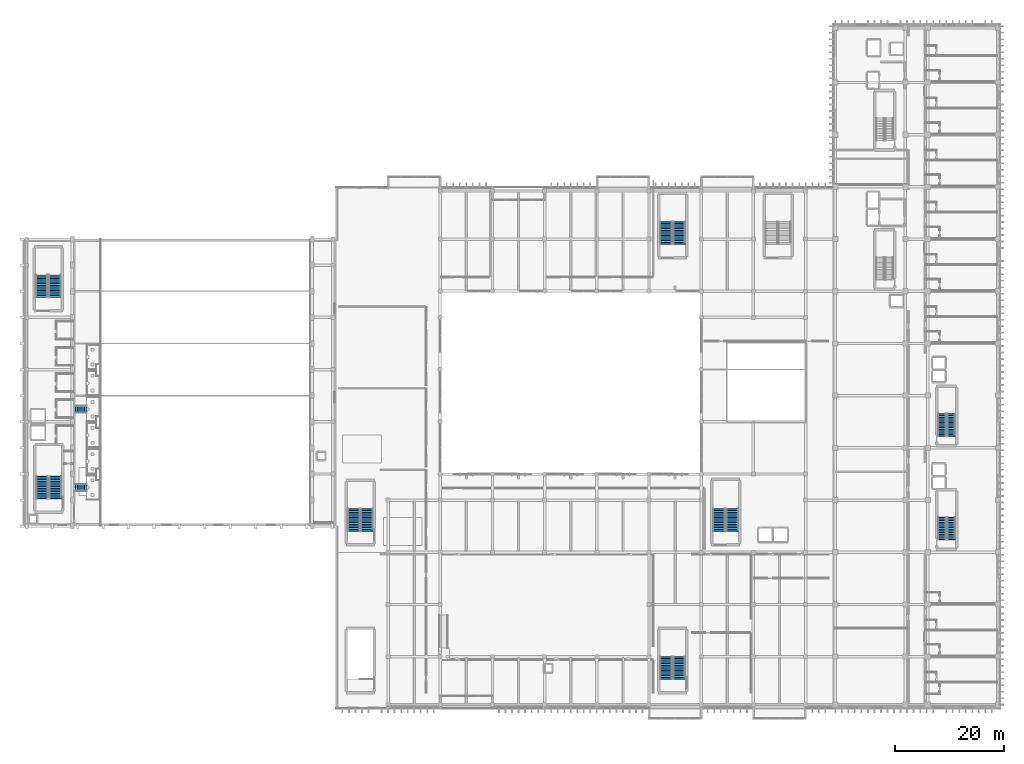
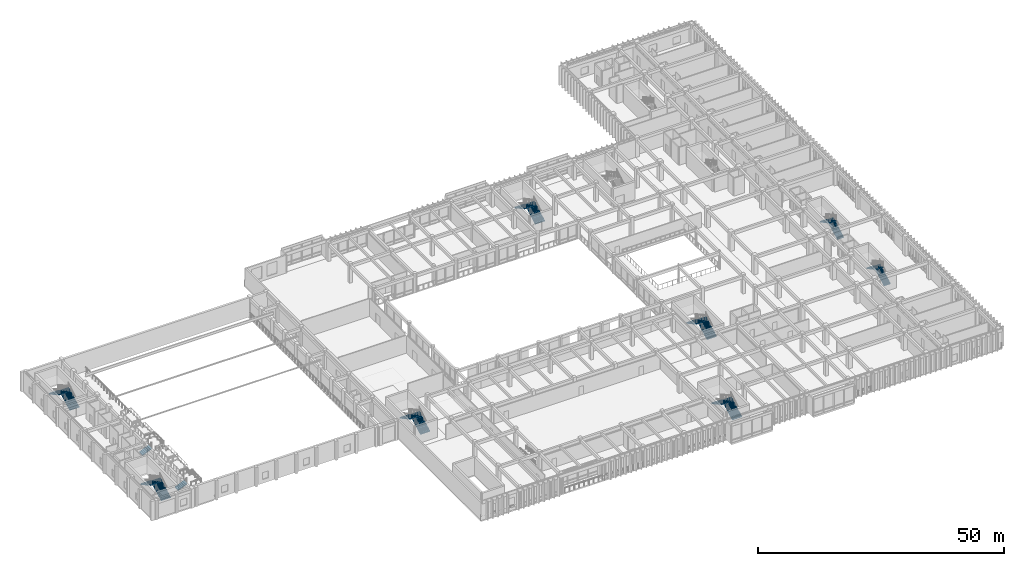
# One storey, part 109 of 133: 18 stair flights, 10 elements without a shape of their own.
"""IFC4 building model written with IfcOpenShell, lengths in metres."""

from ifc_helpers import new_model, si_unit, direction, frame, origin, place, context, subcontext, project, spatial, polyline, outline, extrude, material, layer, layer_set, type_object, element, aggregate, save


model = new_model("IFC4")

# Units and contexts
model_context = context("Model", 3, precision=1e-05, world=origin(), true_north=direction((0.0, 1.0)))
body_context = subcontext(model_context, "Body", "Model", "MODEL_VIEW")
ifc_project = project(units=[si_unit("LENGTHUNIT", "METRE"), si_unit("AREAUNIT", "SQUARE_METRE"), si_unit("VOLUMEUNIT", "CUBIC_METRE"), si_unit("PLANEANGLEUNIT", "RADIAN"), si_unit("MASSUNIT", "GRAM", prefix="KILO")], contexts=[model_context])

# Site, building, storey
site_placement = place(None, origin())
site = spatial("IfcSite", under=ifc_project, at=site_placement, CompositionType="ELEMENT")
building_placement = place(site_placement, origin())
building = spatial("IfcBuilding", under=site, at=building_placement, Name="Nakhvara Creek Congress Hotel", CompositionType="ELEMENT")
storey_placement = place(building_placement, frame((0.0, 0.0, 11.39990234375)))
storey = spatial("IfcBuildingStorey", under=building, at=storey_placement, Name="L02", CompositionType="ELEMENT", Elevation=11.39990234375)

# Stair, stair flights
ifc_material = material(Name="Concrete C40/50", Category="concrete")
stair_type_1 = type_object("IfcStairType", Name="ST-CORE-160", PredefinedType="HALF_TURN_STAIR", material=ifc_material)
stair_1_placement = place(storey_placement, origin())
stair_1 = element("IfcStair", 1, at=stair_1_placement, inside=storey, type_object=stair_type_1, Name="L02 Protected Exit Stair ST03", PredefinedType="HALF_TURN_STAIR")
ifc_layer_1 = layer(ifc_material, 0.18994140625)
ifc_layer_set_1 = layer_set([ifc_layer_1], Name="Concrete C40/50")
stair_flight_type_1 = type_object("IfcStairFlightType", Name="SFL-RC-160", PredefinedType="STRAIGHT", material=ifc_layer_set_1)
stair_flight_1_placement = place(storey_placement, frame((170.780029296875, 31.139892578125, 0.0), z_axis=(0.0, 0.0, 1.0), x_axis=(0.0, 1.0, 0.0)))
stair_flight_1 = element("IfcStairFlight", 2, at=stair_flight_1_placement, type_object=stair_flight_type_1, Name="ST03 flight 1", NumberOfRisers=14, NumberOfTreads=13, PredefinedType="STRAIGHT", RiserHeight=0.171428571, TreadLength=0.315, context=body_context, shape_type="SweptSolid", body=[
    extrude(outline(polyline([(-0.048095703125, 0.0), (0.0, 0.0), (0.0, 0.17138671875), (0.31494140625, 0.17138671875), (0.31494140625, 0.3427734375), (0.6298828125, 0.3427734375), (0.6298828125, 0.514404296875), (0.945068359375, 0.514404296875), (0.945068359375, 0.685791015625), (1.260009765625, 0.685791015625), (1.260009765625, 0.857177734375), (1.574951171875, 0.857177734375), (1.574951171875, 1.028564453125), (1.889892578125, 1.028564453125), (1.889892578125, 1.199951171875), (2.205078125, 1.199951171875), (2.205078125, 1.371337890625), (2.52001953125, 1.371337890625), (2.52001953125, 1.54296875), (2.8349609375, 1.54296875), (2.8349609375, 1.71435546875), (3.14990234375, 1.71435546875), (3.14990234375, 1.8857421875), (3.465087890625, 1.8857421875), (3.465087890625, 2.05712890625), (3.780029296875, 2.05712890625), (3.780029296875, 2.228515625), (4.094970703125, 2.228515625), (4.094970703125, 2.39990234375), (4.14306640625, 2.39990234375), (4.14306640625, 2.25), (4.094970703125, 2.057861328125), (0.0380859375, -0.14990234375), (-0.048095703125, -0.14990234375), (-0.048095703125, 0.0)])), frame((0.0, 0.77001953125, 0.0), z_axis=(0.0, -1.0, 0.0), x_axis=(1.0, 0.0, 0.0)), (0.0, 0.0, 1.0), 1.5400390625),
])
stair_flight_2_placement = place(storey_placement, frame((169.090087890625, 35.235107421875, 2.400146484375), z_axis=(0.0, 0.0, 1.0), x_axis=(0.0, -1.0, 0.0)))
stair_flight_2 = element("IfcStairFlight", 3, at=stair_flight_2_placement, type_object=stair_flight_type_1, Name="ST03 flight 2", NumberOfRisers=14, NumberOfTreads=13, PredefinedType="STRAIGHT", RiserHeight=0.171428571, TreadLength=0.315, context=body_context, shape_type="SweptSolid", body=[
    extrude(outline(polyline([(-0.048095703125, 0.0), (0.0, 0.0), (0.0, 0.17138671875), (0.31494140625, 0.17138671875), (0.31494140625, 0.3427734375), (0.6298828125, 0.3427734375), (0.6298828125, 0.514404296875), (0.945068359375, 0.514404296875), (0.945068359375, 0.685791015625), (1.260009765625, 0.685791015625), (1.260009765625, 0.857177734375), (1.574951171875, 0.857177734375), (1.574951171875, 1.028564453125), (1.889892578125, 1.028564453125), (1.889892578125, 1.199951171875), (2.205078125, 1.199951171875), (2.205078125, 1.371337890625), (2.52001953125, 1.371337890625), (2.52001953125, 1.54296875), (2.8349609375, 1.54296875), (2.8349609375, 1.71435546875), (3.14990234375, 1.71435546875), (3.14990234375, 1.8857421875), (3.465087890625, 1.8857421875), (3.465087890625, 2.05712890625), (3.780029296875, 2.05712890625), (3.780029296875, 2.228515625), (4.094970703125, 2.228515625), (4.094970703125, 2.39990234375), (4.14306640625, 2.39990234375), (4.14306640625, 2.25), (4.094970703125, 2.057861328125), (0.0380859375, -0.14990234375), (-0.048095703125, -0.14990234375), (-0.048095703125, 0.0)])), frame((0.0, 0.77001953125, 0.0), z_axis=(0.0, -1.0, 0.0), x_axis=(1.0, 0.0, 0.0)), (0.0, 0.0, 1.0), 1.5400390625),
])
aggregate(stair_1, [stair_flight_1, stair_flight_2])

stair_2_placement = place(storey_placement, origin())
stair_2 = element("IfcStair", 4, at=stair_2_placement, inside=storey, type_object=stair_type_1, Name="L02 Protected Exit Stair ST04", PredefinedType="HALF_TURN_STAIR")
stair_flight_3_placement = place(storey_placement, frame((170.780029296875, 50.139892578125, 0.0), z_axis=(0.0, 0.0, 1.0), x_axis=(0.0, 1.0, 0.0)))
stair_flight_3 = element("IfcStairFlight", 5, at=stair_flight_3_placement, type_object=stair_flight_type_1, Name="ST04 flight 1", NumberOfRisers=14, NumberOfTreads=13, PredefinedType="STRAIGHT", RiserHeight=0.171428571, TreadLength=0.315, context=body_context, shape_type="SweptSolid", body=[
    extrude(outline(polyline([(-0.048095703125, 0.0), (0.0, 0.0), (0.0, 0.17138671875), (0.31494140625, 0.17138671875), (0.31494140625, 0.3427734375), (0.6298828125, 0.3427734375), (0.6298828125, 0.514404296875), (0.945068359375, 0.514404296875), (0.945068359375, 0.685791015625), (1.260009765625, 0.685791015625), (1.260009765625, 0.857177734375), (1.574951171875, 0.857177734375), (1.574951171875, 1.028564453125), (1.889892578125, 1.028564453125), (1.889892578125, 1.199951171875), (2.205078125, 1.199951171875), (2.205078125, 1.371337890625), (2.52001953125, 1.371337890625), (2.52001953125, 1.54296875), (2.8349609375, 1.54296875), (2.8349609375, 1.71435546875), (3.14990234375, 1.71435546875), (3.14990234375, 1.8857421875), (3.465087890625, 1.8857421875), (3.465087890625, 2.05712890625), (3.780029296875, 2.05712890625), (3.780029296875, 2.228515625), (4.094970703125, 2.228515625), (4.094970703125, 2.39990234375), (4.14306640625, 2.39990234375), (4.14306640625, 2.25), (4.094970703125, 2.057861328125), (0.0380859375, -0.14990234375), (-0.048095703125, -0.14990234375), (-0.048095703125, 0.0)])), frame((0.0, 0.77001953125, 0.0), z_axis=(0.0, -1.0, 0.0), x_axis=(1.0, 0.0, 0.0)), (0.0, 0.0, 1.0), 1.5400390625),
])
stair_flight_4_placement = place(storey_placement, frame((169.090087890625, 54.235107421875, 2.400146484375), z_axis=(0.0, 0.0, 1.0), x_axis=(0.0, -1.0, 0.0)))
stair_flight_4 = element("IfcStairFlight", 6, at=stair_flight_4_placement, type_object=stair_flight_type_1, Name="ST04 flight 2", NumberOfRisers=14, NumberOfTreads=13, PredefinedType="STRAIGHT", RiserHeight=0.171428571, TreadLength=0.315, context=body_context, shape_type="SweptSolid", body=[
    extrude(outline(polyline([(-0.048095703125, 0.0), (0.0, 0.0), (0.0, 0.17138671875), (0.31494140625, 0.17138671875), (0.31494140625, 0.3427734375), (0.6298828125, 0.3427734375), (0.6298828125, 0.514404296875), (0.945068359375, 0.514404296875), (0.945068359375, 0.685791015625), (1.260009765625, 0.685791015625), (1.260009765625, 0.857177734375), (1.574951171875, 0.857177734375), (1.574951171875, 1.028564453125), (1.889892578125, 1.028564453125), (1.889892578125, 1.199951171875), (2.205078125, 1.199951171875), (2.205078125, 1.371337890625), (2.52001953125, 1.371337890625), (2.52001953125, 1.54296875), (2.8349609375, 1.54296875), (2.8349609375, 1.71435546875), (3.14990234375, 1.71435546875), (3.14990234375, 1.8857421875), (3.465087890625, 1.8857421875), (3.465087890625, 2.05712890625), (3.780029296875, 2.05712890625), (3.780029296875, 2.228515625), (4.094970703125, 2.228515625), (4.094970703125, 2.39990234375), (4.14306640625, 2.39990234375), (4.14306640625, 2.25), (4.094970703125, 2.057861328125), (0.0380859375, -0.14990234375), (-0.048095703125, -0.14990234375), (-0.048095703125, 0.0)])), frame((0.0, 0.77001953125, 0.0), z_axis=(0.0, -1.0, 0.0), x_axis=(1.0, 0.0, 0.0)), (0.0, 0.0, 1.0), 1.5400390625),
])
aggregate(stair_2, [stair_flight_3, stair_flight_4])

# Stair, stair flight
stair_type_2 = type_object("IfcStairType", Name="ST-VOM-165", PredefinedType="STRAIGHT_RUN_STAIR", material=ifc_material)
stair_3_placement = place(storey_placement, origin())
stair_3 = element("IfcStair", 7, at=stair_3_placement, inside=storey, type_object=stair_type_2, Name="Congress Vomitory Stair SV05", PredefinedType="STRAIGHT_RUN_STAIR")
ifc_layer_2 = layer(ifc_material, 0.179931640625)
ifc_layer_set_2 = layer_set([ifc_layer_2], Name="Concrete C40/50")
stair_flight_type_2 = type_object("IfcStairFlightType", Name="SFL-RC-165", PredefinedType="STRAIGHT", material=ifc_layer_set_2)
stair_flight_5_placement = place(storey_placement, frame((9.7099609375, 40.699951171875, 0.0), z_axis=(0.0, 0.0, 1.0), x_axis=(1.0, 0.0, 0.0)))
stair_flight_5 = element("IfcStairFlight", 8, at=stair_flight_5_placement, type_object=stair_flight_type_2, Name="SV05 flight 1", NumberOfRisers=7, NumberOfTreads=6, PredefinedType="STRAIGHT", RiserHeight=0.15, TreadLength=0.34, context=body_context, shape_type="SweptSolid", body=[
    extrude(outline(polyline([(-0.048095703125, 0.0), (0.0, 0.0), (0.0, 0.14990234375), (0.340087890625, 0.14990234375), (0.340087890625, 0.300048828125), (0.679931640625, 0.300048828125), (0.679931640625, 0.449951171875), (1.02001953125, 0.449951171875), (1.02001953125, 0.60009765625), (1.360107421875, 0.60009765625), (1.360107421875, 0.75), (1.699951171875, 0.75), (1.699951171875, 0.89990234375), (2.0400390625, 0.89990234375), (2.0400390625, 1.050048828125), (2.088134765625, 1.050048828125), (2.088134765625, 0.900146484375), (2.0400390625, 0.736083984375), (0.031494140625, -0.14990234375), (-0.048095703125, -0.14990234375), (-0.048095703125, 0.0)])), frame((0.0, 0.675048828125, 0.0), z_axis=(0.0, -1.0, 0.0), x_axis=(1.0, 0.0, 0.0)), (0.0, 0.0, 1.0), 1.35009765625),
])
aggregate(stair_3, [stair_flight_5])

stair_4_placement = place(storey_placement, origin())
stair_4 = element("IfcStair", 9, at=stair_4_placement, inside=storey, type_object=stair_type_2, Name="Congress Vomitory Stair SV06", PredefinedType="STRAIGHT_RUN_STAIR")
stair_flight_6_placement = place(storey_placement, frame((9.7099609375, 55.10009765625, 0.0), z_axis=(0.0, 0.0, 1.0), x_axis=(1.0, 0.0, 0.0)))
stair_flight_6 = element("IfcStairFlight", 10, at=stair_flight_6_placement, type_object=stair_flight_type_2, Name="SV06 flight 1", NumberOfRisers=7, NumberOfTreads=6, PredefinedType="STRAIGHT", RiserHeight=0.15, TreadLength=0.34, context=body_context, shape_type="SweptSolid", body=[
    extrude(outline(polyline([(-0.048095703125, 0.0), (0.0, 0.0), (0.0, 0.14990234375), (0.340087890625, 0.14990234375), (0.340087890625, 0.300048828125), (0.679931640625, 0.300048828125), (0.679931640625, 0.449951171875), (1.02001953125, 0.449951171875), (1.02001953125, 0.60009765625), (1.360107421875, 0.60009765625), (1.360107421875, 0.75), (1.699951171875, 0.75), (1.699951171875, 0.89990234375), (2.0400390625, 0.89990234375), (2.0400390625, 1.050048828125), (2.088134765625, 1.050048828125), (2.088134765625, 0.900146484375), (2.0400390625, 0.736083984375), (0.031494140625, -0.14990234375), (-0.048095703125, -0.14990234375), (-0.048095703125, 0.0)])), frame((0.0, 0.675048828125, 0.0), z_axis=(0.0, -1.0, 0.0), x_axis=(1.0, 0.0, 0.0)), (0.0, 0.0, 1.0), 1.35009765625),
])
aggregate(stair_4, [stair_flight_6])

# Stair, stair flights
stair_type_3 = type_object("IfcStairType", Name="ST-CORE-230", PredefinedType="HALF_TURN_STAIR", material=ifc_material)
stair_5_placement = place(storey_placement, origin())
stair_5 = element("IfcStair", 11, at=stair_5_placement, inside=storey, type_object=stair_type_3, Name="L02 Protected Exit Stair ST05", PredefinedType="HALF_TURN_STAIR")
ifc_layer_3 = layer(ifc_material, 0.219970703125)
ifc_layer_set_3 = layer_set([ifc_layer_3], Name="Concrete C40/50")
stair_flight_type_3 = type_object("IfcStairFlightType", Name="SFL-RC-230", PredefinedType="STRAIGHT", material=ifc_layer_set_3)
stair_flight_7_placement = place(storey_placement, frame((6.02001953125, 38.679931640625, 0.0), z_axis=(0.0, 0.0, 1.0), x_axis=(0.0, 1.0, 0.0)))
stair_flight_7 = element("IfcStairFlight", 12, at=stair_flight_7_placement, type_object=stair_flight_type_3, Name="ST05 flight 1", NumberOfRisers=14, NumberOfTreads=13, PredefinedType="STRAIGHT", RiserHeight=0.171428571, TreadLength=0.315, context=body_context, shape_type="SweptSolid", body=[
    extrude(outline(polyline([(-0.048095703125, 0.0), (0.0, 0.0), (0.0, 0.17138671875), (0.31494140625, 0.17138671875), (0.31494140625, 0.3427734375), (0.6298828125, 0.3427734375), (0.6298828125, 0.514404296875), (0.945068359375, 0.514404296875), (0.945068359375, 0.685791015625), (1.260009765625, 0.685791015625), (1.260009765625, 0.857177734375), (1.574951171875, 0.857177734375), (1.574951171875, 1.028564453125), (1.889892578125, 1.028564453125), (1.889892578125, 1.199951171875), (2.205078125, 1.199951171875), (2.205078125, 1.371337890625), (2.52001953125, 1.371337890625), (2.52001953125, 1.54296875), (2.8349609375, 1.54296875), (2.8349609375, 1.71435546875), (3.14990234375, 1.71435546875), (3.14990234375, 1.8857421875), (3.465087890625, 1.8857421875), (3.465087890625, 2.05712890625), (3.780029296875, 2.05712890625), (3.780029296875, 2.228515625), (4.094970703125, 2.228515625), (4.094970703125, 2.39990234375), (4.14306640625, 2.39990234375), (4.14306640625, 2.25), (4.094970703125, 2.057861328125), (0.0380859375, -0.14990234375), (-0.048095703125, -0.14990234375), (-0.048095703125, 0.0)])), frame((0.0, 1.14013671875, 0.0), z_axis=(0.0, -1.0, 0.0), x_axis=(1.0, 0.0, 0.0)), (0.0, 0.0, 1.0), 2.280029296875),
])
stair_flight_8_placement = place(storey_placement, frame((3.590087890625, 42.77490234375, 2.400146484375), z_axis=(0.0, 0.0, 1.0), x_axis=(0.0, -1.0, 0.0)))
stair_flight_8 = element("IfcStairFlight", 13, at=stair_flight_8_placement, type_object=stair_flight_type_3, Name="ST05 flight 2", NumberOfRisers=14, NumberOfTreads=13, PredefinedType="STRAIGHT", RiserHeight=0.171428571, TreadLength=0.315, context=body_context, shape_type="SweptSolid", body=[
    extrude(outline(polyline([(-0.048095703125, 0.0), (0.0, 0.0), (0.0, 0.17138671875), (0.31494140625, 0.17138671875), (0.31494140625, 0.3427734375), (0.6298828125, 0.3427734375), (0.6298828125, 0.514404296875), (0.945068359375, 0.514404296875), (0.945068359375, 0.685791015625), (1.260009765625, 0.685791015625), (1.260009765625, 0.857177734375), (1.574951171875, 0.857177734375), (1.574951171875, 1.028564453125), (1.889892578125, 1.028564453125), (1.889892578125, 1.199951171875), (2.205078125, 1.199951171875), (2.205078125, 1.371337890625), (2.52001953125, 1.371337890625), (2.52001953125, 1.54296875), (2.8349609375, 1.54296875), (2.8349609375, 1.71435546875), (3.14990234375, 1.71435546875), (3.14990234375, 1.8857421875), (3.465087890625, 1.8857421875), (3.465087890625, 2.05712890625), (3.780029296875, 2.05712890625), (3.780029296875, 2.228515625), (4.094970703125, 2.228515625), (4.094970703125, 2.39990234375), (4.14306640625, 2.39990234375), (4.14306640625, 2.25), (4.094970703125, 2.057861328125), (0.0380859375, -0.14990234375), (-0.048095703125, -0.14990234375), (-0.048095703125, 0.0)])), frame((0.0, 1.14013671875, 0.0), z_axis=(0.0, -1.0, 0.0), x_axis=(1.0, 0.0, 0.0)), (0.0, 0.0, 1.0), 2.280029296875),
])
aggregate(stair_5, [stair_flight_7, stair_flight_8])

stair_6_placement = place(storey_placement, origin())
stair_6 = element("IfcStair", 14, at=stair_6_placement, inside=storey, type_object=stair_type_3, Name="L02 Protected Exit Stair ST06", PredefinedType="HALF_TURN_STAIR")
stair_flight_9_placement = place(storey_placement, frame((130.52001953125, 32.679931640625, 0.0), z_axis=(0.0, 0.0, 1.0), x_axis=(0.0, 1.0, 0.0)))
stair_flight_9 = element("IfcStairFlight", 15, at=stair_flight_9_placement, type_object=stair_flight_type_3, Name="ST06 flight 1", NumberOfRisers=14, NumberOfTreads=13, PredefinedType="STRAIGHT", RiserHeight=0.171428571, TreadLength=0.315, context=body_context, shape_type="SweptSolid", body=[
    extrude(outline(polyline([(-0.048095703125, 0.0), (0.0, 0.0), (0.0, 0.17138671875), (0.31494140625, 0.17138671875), (0.31494140625, 0.3427734375), (0.6298828125, 0.3427734375), (0.6298828125, 0.514404296875), (0.945068359375, 0.514404296875), (0.945068359375, 0.685791015625), (1.260009765625, 0.685791015625), (1.260009765625, 0.857177734375), (1.574951171875, 0.857177734375), (1.574951171875, 1.028564453125), (1.889892578125, 1.028564453125), (1.889892578125, 1.199951171875), (2.205078125, 1.199951171875), (2.205078125, 1.371337890625), (2.52001953125, 1.371337890625), (2.52001953125, 1.54296875), (2.8349609375, 1.54296875), (2.8349609375, 1.71435546875), (3.14990234375, 1.71435546875), (3.14990234375, 1.8857421875), (3.465087890625, 1.8857421875), (3.465087890625, 2.05712890625), (3.780029296875, 2.05712890625), (3.780029296875, 2.228515625), (4.094970703125, 2.228515625), (4.094970703125, 2.39990234375), (4.14306640625, 2.39990234375), (4.14306640625, 2.25), (4.094970703125, 2.057861328125), (0.0380859375, -0.14990234375), (-0.048095703125, -0.14990234375), (-0.048095703125, 0.0)])), frame((0.0, 1.14013671875, 0.0), z_axis=(0.0, -1.0, 0.0), x_axis=(1.0, 0.0, 0.0)), (0.0, 0.0, 1.0), 2.280029296875),
])
stair_flight_10_placement = place(storey_placement, frame((128.090087890625, 36.77490234375, 2.400146484375), z_axis=(0.0, 0.0, 1.0), x_axis=(0.0, -1.0, 0.0)))
stair_flight_10 = element("IfcStairFlight", 16, at=stair_flight_10_placement, type_object=stair_flight_type_3, Name="ST06 flight 2", NumberOfRisers=14, NumberOfTreads=13, PredefinedType="STRAIGHT", RiserHeight=0.171428571, TreadLength=0.315, context=body_context, shape_type="SweptSolid", body=[
    extrude(outline(polyline([(-0.048095703125, 0.0), (0.0, 0.0), (0.0, 0.17138671875), (0.31494140625, 0.17138671875), (0.31494140625, 0.3427734375), (0.6298828125, 0.3427734375), (0.6298828125, 0.514404296875), (0.945068359375, 0.514404296875), (0.945068359375, 0.685791015625), (1.260009765625, 0.685791015625), (1.260009765625, 0.857177734375), (1.574951171875, 0.857177734375), (1.574951171875, 1.028564453125), (1.889892578125, 1.028564453125), (1.889892578125, 1.199951171875), (2.205078125, 1.199951171875), (2.205078125, 1.371337890625), (2.52001953125, 1.371337890625), (2.52001953125, 1.54296875), (2.8349609375, 1.54296875), (2.8349609375, 1.71435546875), (3.14990234375, 1.71435546875), (3.14990234375, 1.8857421875), (3.465087890625, 1.8857421875), (3.465087890625, 2.05712890625), (3.780029296875, 2.05712890625), (3.780029296875, 2.228515625), (4.094970703125, 2.228515625), (4.094970703125, 2.39990234375), (4.14306640625, 2.39990234375), (4.14306640625, 2.25), (4.094970703125, 2.057861328125), (0.0380859375, -0.14990234375), (-0.048095703125, -0.14990234375), (-0.048095703125, 0.0)])), frame((0.0, 1.14013671875, 0.0), z_axis=(0.0, -1.0, 0.0), x_axis=(1.0, 0.0, 0.0)), (0.0, 0.0, 1.0), 2.280029296875),
])
aggregate(stair_6, [stair_flight_9, stair_flight_10])

stair_7_placement = place(storey_placement, origin())
stair_7 = element("IfcStair", 17, at=stair_7_placement, inside=storey, type_object=stair_type_3, Name="L02 Protected Exit Stair ST07", PredefinedType="HALF_TURN_STAIR")
stair_flight_11_placement = place(storey_placement, frame((5.93994140625, 75.679931640625, 0.0), z_axis=(0.0, 0.0, 1.0), x_axis=(0.0, 1.0, 0.0)))
stair_flight_11 = element("IfcStairFlight", 18, at=stair_flight_11_placement, type_object=stair_flight_type_3, Name="ST07 flight 1", NumberOfRisers=14, NumberOfTreads=13, PredefinedType="STRAIGHT", RiserHeight=0.171428571, TreadLength=0.315, context=body_context, shape_type="SweptSolid", body=[
    extrude(outline(polyline([(-0.048095703125, 0.0), (0.0, 0.0), (0.0, 0.17138671875), (0.31494140625, 0.17138671875), (0.31494140625, 0.3427734375), (0.6298828125, 0.3427734375), (0.6298828125, 0.514404296875), (0.945068359375, 0.514404296875), (0.945068359375, 0.685791015625), (1.260009765625, 0.685791015625), (1.260009765625, 0.857177734375), (1.574951171875, 0.857177734375), (1.574951171875, 1.028564453125), (1.889892578125, 1.028564453125), (1.889892578125, 1.199951171875), (2.205078125, 1.199951171875), (2.205078125, 1.371337890625), (2.52001953125, 1.371337890625), (2.52001953125, 1.54296875), (2.8349609375, 1.54296875), (2.8349609375, 1.71435546875), (3.14990234375, 1.71435546875), (3.14990234375, 1.8857421875), (3.465087890625, 1.8857421875), (3.465087890625, 2.05712890625), (3.780029296875, 2.05712890625), (3.780029296875, 2.228515625), (4.094970703125, 2.228515625), (4.094970703125, 2.39990234375), (4.14306640625, 2.39990234375), (4.14306640625, 2.25), (4.094970703125, 2.057861328125), (0.0380859375, -0.14990234375), (-0.048095703125, -0.14990234375), (-0.048095703125, 0.0)])), frame((0.0, 1.14013671875, 0.0), z_axis=(0.0, -1.0, 0.0), x_axis=(1.0, 0.0, 0.0)), (0.0, 0.0, 1.0), 2.280029296875),
])
stair_flight_12_placement = place(storey_placement, frame((3.510009765625, 79.77490234375, 2.400146484375), z_axis=(0.0, 0.0, 1.0), x_axis=(0.0, -1.0, 0.0)))
stair_flight_12 = element("IfcStairFlight", 19, at=stair_flight_12_placement, type_object=stair_flight_type_3, Name="ST07 flight 2", NumberOfRisers=14, NumberOfTreads=13, PredefinedType="STRAIGHT", RiserHeight=0.171428571, TreadLength=0.315, context=body_context, shape_type="SweptSolid", body=[
    extrude(outline(polyline([(-0.048095703125, 0.0), (0.0, 0.0), (0.0, 0.17138671875), (0.31494140625, 0.17138671875), (0.31494140625, 0.3427734375), (0.6298828125, 0.3427734375), (0.6298828125, 0.514404296875), (0.945068359375, 0.514404296875), (0.945068359375, 0.685791015625), (1.260009765625, 0.685791015625), (1.260009765625, 0.857177734375), (1.574951171875, 0.857177734375), (1.574951171875, 1.028564453125), (1.889892578125, 1.028564453125), (1.889892578125, 1.199951171875), (2.205078125, 1.199951171875), (2.205078125, 1.371337890625), (2.52001953125, 1.371337890625), (2.52001953125, 1.54296875), (2.8349609375, 1.54296875), (2.8349609375, 1.71435546875), (3.14990234375, 1.71435546875), (3.14990234375, 1.8857421875), (3.465087890625, 1.8857421875), (3.465087890625, 2.05712890625), (3.780029296875, 2.05712890625), (3.780029296875, 2.228515625), (4.094970703125, 2.228515625), (4.094970703125, 2.39990234375), (4.14306640625, 2.39990234375), (4.14306640625, 2.25), (4.094970703125, 2.057861328125), (0.0380859375, -0.14990234375), (-0.048095703125, -0.14990234375), (-0.048095703125, 0.0)])), frame((0.0, 1.14013671875, 0.0), z_axis=(0.0, -1.0, 0.0), x_axis=(1.0, 0.0, 0.0)), (0.0, 0.0, 1.0), 2.280029296875),
])
aggregate(stair_7, [stair_flight_11, stair_flight_12])

stair_8_placement = place(storey_placement, origin())
stair_8 = element("IfcStair", 20, at=stair_8_placement, inside=storey, type_object=stair_type_3, Name="L02 Protected Exit Stair ST09", PredefinedType="HALF_TURN_STAIR")
stair_flight_13_placement = place(storey_placement, frame((120.739990234375, 85.47998046875, 0.0), z_axis=(0.0, 0.0, 1.0), x_axis=(0.0, 1.0, 0.0)))
stair_flight_13 = element("IfcStairFlight", 21, at=stair_flight_13_placement, type_object=stair_flight_type_3, Name="ST09 flight 1", NumberOfRisers=14, NumberOfTreads=13, PredefinedType="STRAIGHT", RiserHeight=0.171428571, TreadLength=0.315, context=body_context, shape_type="SweptSolid", body=[
    extrude(outline(polyline([(-0.048095703125, 0.0), (0.0, 0.0), (0.0, 0.17138671875), (0.31494140625, 0.17138671875), (0.31494140625, 0.3427734375), (0.6298828125, 0.3427734375), (0.6298828125, 0.514404296875), (0.945068359375, 0.514404296875), (0.945068359375, 0.685791015625), (1.260009765625, 0.685791015625), (1.260009765625, 0.857177734375), (1.574951171875, 0.857177734375), (1.574951171875, 1.028564453125), (1.889892578125, 1.028564453125), (1.889892578125, 1.199951171875), (2.205078125, 1.199951171875), (2.205078125, 1.371337890625), (2.52001953125, 1.371337890625), (2.52001953125, 1.54296875), (2.8349609375, 1.54296875), (2.8349609375, 1.71435546875), (3.14990234375, 1.71435546875), (3.14990234375, 1.8857421875), (3.465087890625, 1.8857421875), (3.465087890625, 2.05712890625), (3.780029296875, 2.05712890625), (3.780029296875, 2.228515625), (4.094970703125, 2.228515625), (4.094970703125, 2.39990234375), (4.14306640625, 2.39990234375), (4.14306640625, 2.25), (4.094970703125, 2.057861328125), (0.0380859375, -0.14990234375), (-0.048095703125, -0.14990234375), (-0.048095703125, 0.0)])), frame((0.0, 1.14013671875, 0.0), z_axis=(0.0, -1.0, 0.0), x_axis=(1.0, 0.0, 0.0)), (0.0, 0.0, 1.0), 2.280029296875),
])
stair_flight_14_placement = place(storey_placement, frame((118.31005859375, 89.574951171875, 2.400146484375), z_axis=(0.0, 0.0, 1.0), x_axis=(0.0, -1.0, 0.0)))
stair_flight_14 = element("IfcStairFlight", 22, at=stair_flight_14_placement, type_object=stair_flight_type_3, Name="ST09 flight 2", NumberOfRisers=14, NumberOfTreads=13, PredefinedType="STRAIGHT", RiserHeight=0.171428571, TreadLength=0.315, context=body_context, shape_type="SweptSolid", body=[
    extrude(outline(polyline([(-0.048095703125, 0.0), (0.0, 0.0), (0.0, 0.17138671875), (0.31494140625, 0.17138671875), (0.31494140625, 0.3427734375), (0.6298828125, 0.3427734375), (0.6298828125, 0.514404296875), (0.945068359375, 0.514404296875), (0.945068359375, 0.685791015625), (1.260009765625, 0.685791015625), (1.260009765625, 0.857177734375), (1.574951171875, 0.857177734375), (1.574951171875, 1.028564453125), (1.889892578125, 1.028564453125), (1.889892578125, 1.199951171875), (2.205078125, 1.199951171875), (2.205078125, 1.371337890625), (2.52001953125, 1.371337890625), (2.52001953125, 1.54296875), (2.8349609375, 1.54296875), (2.8349609375, 1.71435546875), (3.14990234375, 1.71435546875), (3.14990234375, 1.8857421875), (3.465087890625, 1.8857421875), (3.465087890625, 2.05712890625), (3.780029296875, 2.05712890625), (3.780029296875, 2.228515625), (4.094970703125, 2.228515625), (4.094970703125, 2.39990234375), (4.14306640625, 2.39990234375), (4.14306640625, 2.25), (4.094970703125, 2.057861328125), (0.0380859375, -0.14990234375), (-0.048095703125, -0.14990234375), (-0.048095703125, 0.0)])), frame((0.0, 1.14013671875, 0.0), z_axis=(0.0, -1.0, 0.0), x_axis=(1.0, 0.0, 0.0)), (0.0, 0.0, 1.0), 2.280029296875),
])
aggregate(stair_8, [stair_flight_13, stair_flight_14])

stair_9_placement = place(storey_placement, origin())
stair_9 = element("IfcStair", 23, at=stair_9_placement, inside=storey, type_object=stair_type_3, Name="L02 Protected Exit Stair ST12", PredefinedType="HALF_TURN_STAIR")
stair_flight_15_placement = place(storey_placement, frame((120.739990234375, 5.47998046875, 0.0), z_axis=(0.0, 0.0, 1.0), x_axis=(0.0, 1.0, 0.0)))
stair_flight_15 = element("IfcStairFlight", 24, at=stair_flight_15_placement, type_object=stair_flight_type_3, Name="ST12 flight 1", NumberOfRisers=14, NumberOfTreads=13, PredefinedType="STRAIGHT", RiserHeight=0.171428571, TreadLength=0.315, context=body_context, shape_type="SweptSolid", body=[
    extrude(outline(polyline([(-0.048095703125, 0.0), (0.0, 0.0), (0.0, 0.17138671875), (0.31494140625, 0.17138671875), (0.31494140625, 0.3427734375), (0.6298828125, 0.3427734375), (0.6298828125, 0.514404296875), (0.945068359375, 0.514404296875), (0.945068359375, 0.685791015625), (1.260009765625, 0.685791015625), (1.260009765625, 0.857177734375), (1.574951171875, 0.857177734375), (1.574951171875, 1.028564453125), (1.889892578125, 1.028564453125), (1.889892578125, 1.199951171875), (2.205078125, 1.199951171875), (2.205078125, 1.371337890625), (2.52001953125, 1.371337890625), (2.52001953125, 1.54296875), (2.8349609375, 1.54296875), (2.8349609375, 1.71435546875), (3.14990234375, 1.71435546875), (3.14990234375, 1.8857421875), (3.465087890625, 1.8857421875), (3.465087890625, 2.05712890625), (3.780029296875, 2.05712890625), (3.780029296875, 2.228515625), (4.094970703125, 2.228515625), (4.094970703125, 2.39990234375), (4.14306640625, 2.39990234375), (4.14306640625, 2.25), (4.094970703125, 2.057861328125), (0.0380859375, -0.14990234375), (-0.048095703125, -0.14990234375), (-0.048095703125, 0.0)])), frame((0.0, 1.14013671875, 0.0), z_axis=(0.0, -1.0, 0.0), x_axis=(1.0, 0.0, 0.0)), (0.0, 0.0, 1.0), 2.280029296875),
])
stair_flight_16_placement = place(storey_placement, frame((118.31005859375, 9.574951171875, 2.400146484375), z_axis=(0.0, 0.0, 1.0), x_axis=(0.0, -1.0, 0.0)))
stair_flight_16 = element("IfcStairFlight", 25, at=stair_flight_16_placement, type_object=stair_flight_type_3, Name="ST12 flight 2", NumberOfRisers=14, NumberOfTreads=13, PredefinedType="STRAIGHT", RiserHeight=0.171428571, TreadLength=0.315, context=body_context, shape_type="SweptSolid", body=[
    extrude(outline(polyline([(-0.048095703125, 0.0), (0.0, 0.0), (0.0, 0.17138671875), (0.31494140625, 0.17138671875), (0.31494140625, 0.3427734375), (0.6298828125, 0.3427734375), (0.6298828125, 0.514404296875), (0.945068359375, 0.514404296875), (0.945068359375, 0.685791015625), (1.260009765625, 0.685791015625), (1.260009765625, 0.857177734375), (1.574951171875, 0.857177734375), (1.574951171875, 1.028564453125), (1.889892578125, 1.028564453125), (1.889892578125, 1.199951171875), (2.205078125, 1.199951171875), (2.205078125, 1.371337890625), (2.52001953125, 1.371337890625), (2.52001953125, 1.54296875), (2.8349609375, 1.54296875), (2.8349609375, 1.71435546875), (3.14990234375, 1.71435546875), (3.14990234375, 1.8857421875), (3.465087890625, 1.8857421875), (3.465087890625, 2.05712890625), (3.780029296875, 2.05712890625), (3.780029296875, 2.228515625), (4.094970703125, 2.228515625), (4.094970703125, 2.39990234375), (4.14306640625, 2.39990234375), (4.14306640625, 2.25), (4.094970703125, 2.057861328125), (0.0380859375, -0.14990234375), (-0.048095703125, -0.14990234375), (-0.048095703125, 0.0)])), frame((0.0, 1.14013671875, 0.0), z_axis=(0.0, -1.0, 0.0), x_axis=(1.0, 0.0, 0.0)), (0.0, 0.0, 1.0), 2.280029296875),
])
aggregate(stair_9, [stair_flight_15, stair_flight_16])

stair_10_placement = place(storey_placement, origin())
stair_10 = element("IfcStair", 26, at=stair_10_placement, inside=storey, type_object=stair_type_3, Name="L02 Protected Exit Stair ST13", PredefinedType="HALF_TURN_STAIR")
stair_flight_17_placement = place(storey_placement, frame((63.340087890625, 32.679931640625, 0.0), z_axis=(0.0, 0.0, 1.0), x_axis=(0.0, 1.0, 0.0)))
stair_flight_17 = element("IfcStairFlight", 27, at=stair_flight_17_placement, type_object=stair_flight_type_3, Name="ST13 flight 1", NumberOfRisers=14, NumberOfTreads=13, PredefinedType="STRAIGHT", RiserHeight=0.171428571, TreadLength=0.315, context=body_context, shape_type="SweptSolid", body=[
    extrude(outline(polyline([(-0.048095703125, 0.0), (0.0, 0.0), (0.0, 0.17138671875), (0.31494140625, 0.17138671875), (0.31494140625, 0.3427734375), (0.6298828125, 0.3427734375), (0.6298828125, 0.514404296875), (0.945068359375, 0.514404296875), (0.945068359375, 0.685791015625), (1.260009765625, 0.685791015625), (1.260009765625, 0.857177734375), (1.574951171875, 0.857177734375), (1.574951171875, 1.028564453125), (1.889892578125, 1.028564453125), (1.889892578125, 1.199951171875), (2.205078125, 1.199951171875), (2.205078125, 1.371337890625), (2.52001953125, 1.371337890625), (2.52001953125, 1.54296875), (2.8349609375, 1.54296875), (2.8349609375, 1.71435546875), (3.14990234375, 1.71435546875), (3.14990234375, 1.8857421875), (3.465087890625, 1.8857421875), (3.465087890625, 2.05712890625), (3.780029296875, 2.05712890625), (3.780029296875, 2.228515625), (4.094970703125, 2.228515625), (4.094970703125, 2.39990234375), (4.14306640625, 2.39990234375), (4.14306640625, 2.25), (4.094970703125, 2.057861328125), (0.0380859375, -0.14990234375), (-0.048095703125, -0.14990234375), (-0.048095703125, 0.0)])), frame((0.0, 1.14013671875, 0.0), z_axis=(0.0, -1.0, 0.0), x_axis=(1.0, 0.0, 0.0)), (0.0, 0.0, 1.0), 2.280029296875),
])
stair_flight_18_placement = place(storey_placement, frame((60.909912109375, 36.77490234375, 2.400146484375), z_axis=(0.0, 0.0, 1.0), x_axis=(0.0, -1.0, 0.0)))
stair_flight_18 = element("IfcStairFlight", 28, at=stair_flight_18_placement, type_object=stair_flight_type_3, Name="ST13 flight 2", NumberOfRisers=14, NumberOfTreads=13, PredefinedType="STRAIGHT", RiserHeight=0.171428571, TreadLength=0.315, context=body_context, shape_type="SweptSolid", body=[
    extrude(outline(polyline([(-0.048095703125, 0.0), (0.0, 0.0), (0.0, 0.17138671875), (0.31494140625, 0.17138671875), (0.31494140625, 0.3427734375), (0.6298828125, 0.3427734375), (0.6298828125, 0.514404296875), (0.945068359375, 0.514404296875), (0.945068359375, 0.685791015625), (1.260009765625, 0.685791015625), (1.260009765625, 0.857177734375), (1.574951171875, 0.857177734375), (1.574951171875, 1.028564453125), (1.889892578125, 1.028564453125), (1.889892578125, 1.199951171875), (2.205078125, 1.199951171875), (2.205078125, 1.371337890625), (2.52001953125, 1.371337890625), (2.52001953125, 1.54296875), (2.8349609375, 1.54296875), (2.8349609375, 1.71435546875), (3.14990234375, 1.71435546875), (3.14990234375, 1.8857421875), (3.465087890625, 1.8857421875), (3.465087890625, 2.05712890625), (3.780029296875, 2.05712890625), (3.780029296875, 2.228515625), (4.094970703125, 2.228515625), (4.094970703125, 2.39990234375), (4.14306640625, 2.39990234375), (4.14306640625, 2.25), (4.094970703125, 2.057861328125), (0.0380859375, -0.14990234375), (-0.048095703125, -0.14990234375), (-0.048095703125, 0.0)])), frame((0.0, 1.14013671875, 0.0), z_axis=(0.0, -1.0, 0.0), x_axis=(1.0, 0.0, 0.0)), (0.0, 0.0, 1.0), 2.280029296875),
])
aggregate(stair_10, [stair_flight_17, stair_flight_18])

save(model, "model.ifc")
